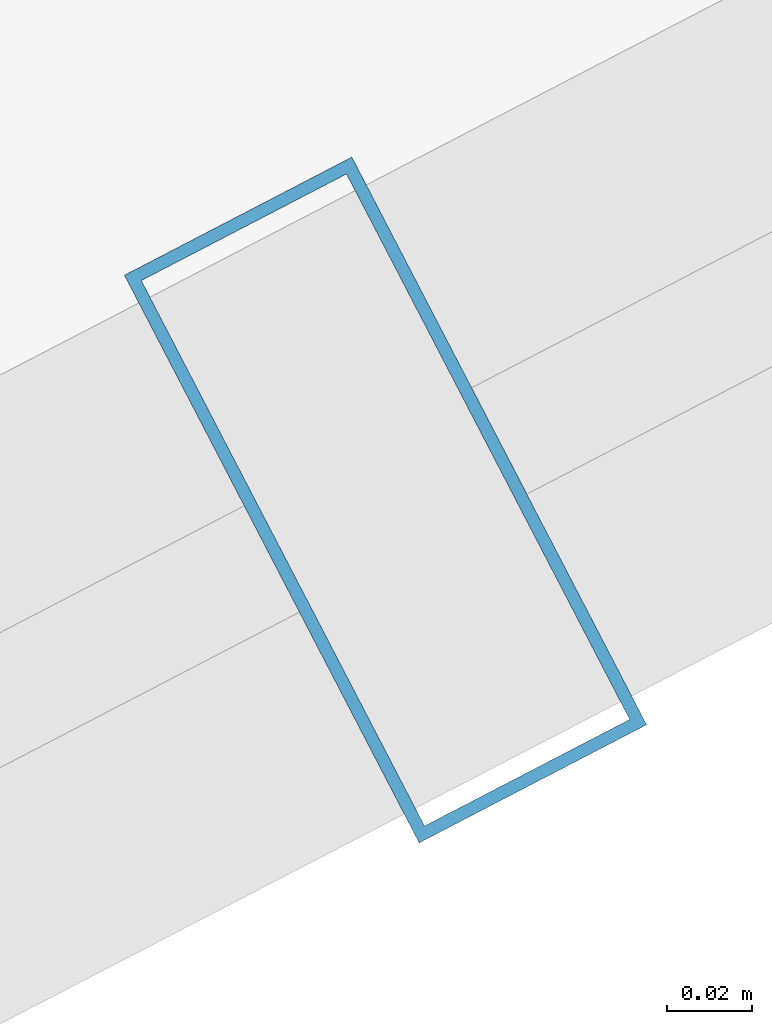
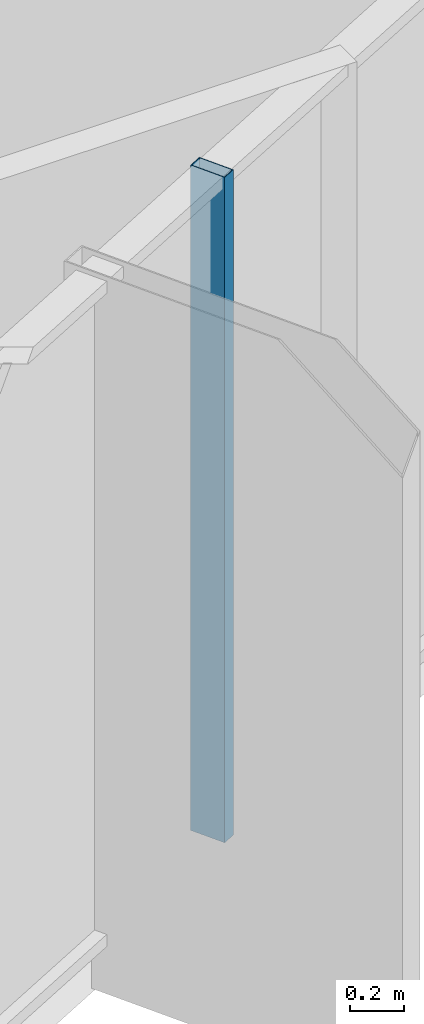
# One storey, part 9 of 29: 1 member, 1 element without a shape of its own.
"""IFC4 building model written with IfcOpenShell, lengths in metres."""

from ifc_helpers import new_model, si_unit, direction, frame, origin, origin_2d, place, context, subcontext, project, spatial, hollow_rectangle, extrude, source, transform, mapped, material, layer, layer_set, material_profile, profile_set, type_object, element, aggregate, save


model = new_model("IFC4")

# Units and contexts
model_context = context("Model", 3, precision=1e-05, world=origin(), true_north=direction((0.0, 1.0)))
body_context = subcontext(model_context, "Body", "Model", "MODEL_VIEW")
ifc_project = project(units=[si_unit("LENGTHUNIT", "METRE"), si_unit("AREAUNIT", "SQUARE_METRE"), si_unit("VOLUMEUNIT", "CUBIC_METRE"), si_unit("PLANEANGLEUNIT", "RADIAN"), si_unit("MASSUNIT", "GRAM", prefix="KILO")], contexts=[model_context])

# Site, building, storey
site_placement = place(None, origin())
site = spatial("IfcSite", under=ifc_project, at=site_placement, CompositionType="ELEMENT")
building_placement = place(site_placement, origin())
building = spatial("IfcBuilding", under=site, at=building_placement, Name="Veraguas Prism Commons", CompositionType="ELEMENT")
storey_placement = place(building_placement, frame((0.0, 0.0, 215.64990234375)))
storey = spatial("IfcBuildingStorey", under=building, at=storey_placement, Name="L61", CompositionType="ELEMENT", Elevation=215.64990234375)

# Curtain wall, member
ifc_material = material(Name="Anodised aluminium EN AW-6063 T6", Category="aluminium")
ifc_layer = layer(ifc_material, 0.14990234375, Name="Unitised Flush Curtain Wall Zone 3", Category="aluminium")
ifc_layer_set = layer_set([ifc_layer], Name="Anodised aluminium EN AW-6063 T6")
curtain_wall_type = type_object("IfcCurtainWallType", Name="Unitised Flush Curtain Wall Zone 3", PredefinedType="NOTDEFINED", material=ifc_layer_set)
curtain_wall_placement = place(storey_placement, origin())
curtain_wall = element("IfcCurtainWall", 1, at=curtain_wall_placement, inside=storey, type_object=curtain_wall_type, Name="Tower Facade Curtain Wall L61-F5", PredefinedType="NOTDEFINED")
ifc_material_profile = material_profile(ifc_material, hollow_rectangle(XDim=0.06005859375, YDim=0.14990234375, WallThickness=0.0029296875, at=origin_2d()), Name="AL60X150X3")
ifc_profile_set = profile_set([ifc_material_profile], Name="Anodised aluminium EN AW-6063 T6")
member_type = type_object("IfcMemberType", Name="Curtain Wall Mullion Upper AL 60x150x3", PredefinedType="MULLION", material=ifc_profile_set)
shared_shape = source(origin(), body_context, "Body", "SweptSolid", [
    extrude(hollow_rectangle(XDim=0.06005859375, YDim=0.14990234375, WallThickness=0.0029296875, at=origin_2d()), origin(), (0.0, 0.0, 1.0), 3.01513671875),
])
member_placement = place(storey_placement, frame((35.689453125, 10.1142578125, 0.0), z_axis=(0.0, 0.0, 1.0), x_axis=(0.887493888749, 0.46081948465, 0.0)))
member = element("IfcMember", 2, at=member_placement, type_object=member_type, Name="CW-Z3 Mullion 4", PredefinedType="MULLION", context=body_context, shape_type="MappedRepresentation", body=[
    mapped(shared_shape, transform((0.0, 0.0, 0.0), scale=1.0)),
])
aggregate(curtain_wall, [member])

save(model, "model.ifc")
